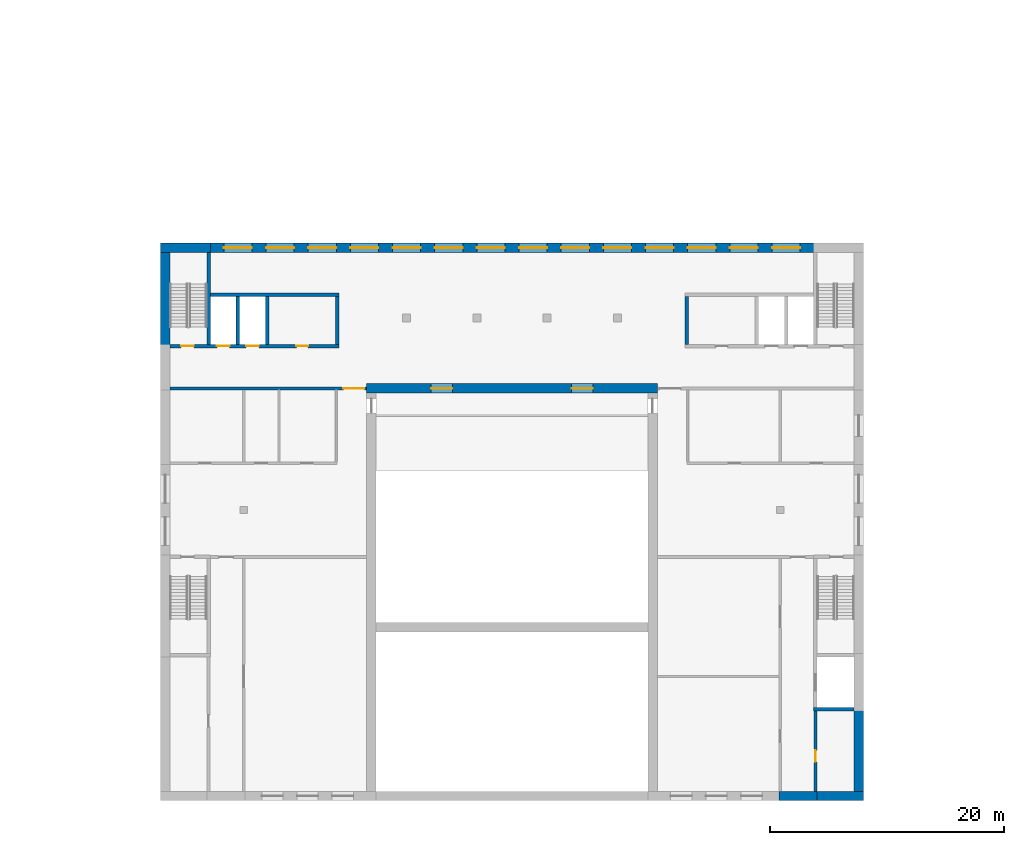
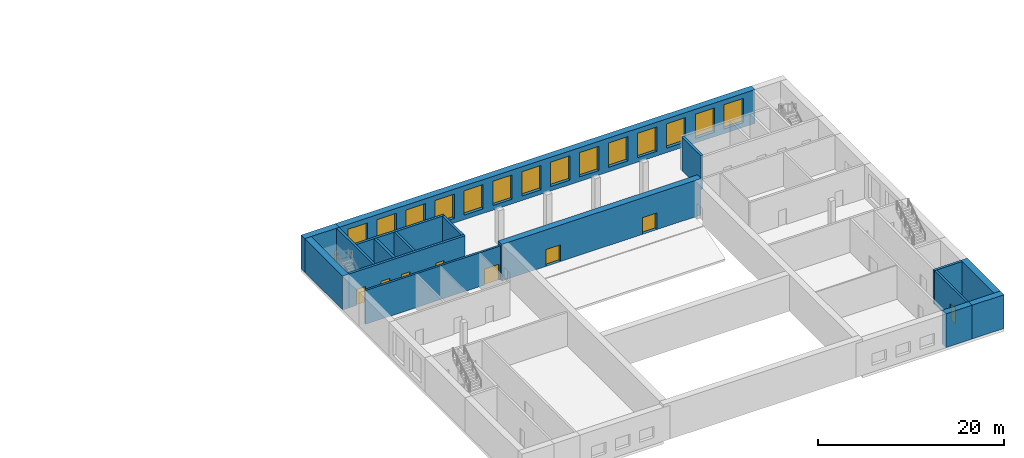
# One storey, part 4 of 24: 17 walls, 14 windows, 8 doors, 22 openings.
"""IFC4 building model written with IfcOpenShell, lengths in metres."""

from ifc_helpers import new_model, si_unit, direction, frame, frame_2d, origin, place, context, subcontext, project, spatial, rectangle, extrude, material, layer, layer_set, type_object, element, fill, save


model = new_model("IFC4")

# Units and contexts
model_context = context("Model", 3, precision=1e-05, world=origin(), true_north=direction((0.0, 1.0)))
body_context = subcontext(model_context, "Body", "Model", "MODEL_VIEW")
ifc_project = project(units=[si_unit("LENGTHUNIT", "METRE"), si_unit("AREAUNIT", "SQUARE_METRE"), si_unit("VOLUMEUNIT", "CUBIC_METRE"), si_unit("PLANEANGLEUNIT", "RADIAN"), si_unit("MASSUNIT", "GRAM", prefix="KILO")], contexts=[model_context])

# Site, building, storey
site_placement = place(None, origin())
site = spatial("IfcSite", under=ifc_project, at=site_placement, CompositionType="ELEMENT")
building_placement = place(site_placement, origin())
building = spatial("IfcBuilding", under=site, at=building_placement, Name="Kiln Ring Residences", CompositionType="ELEMENT")
storey_placement = place(building_placement, frame((0.0, 0.0, 11.300048828125)))
storey = spatial("IfcBuildingStorey", under=building, at=storey_placement, Name="L02", CompositionType="ELEMENT", Elevation=11.300048828125)

# Wall, openings, doors
ifc_material_1 = material(Name="Concrete C40/50", Category="concrete")
ifc_layer_1 = layer(ifc_material_1, 0.800048828125)
ifc_layer_set_1 = layer_set([ifc_layer_1], Name="Hall Board-marked concrete C40/50 hall wall 800 internal")
wall_type_1 = type_object("IfcWallType", Name="Hall Board-marked concrete C40/50 hall wall 800 internal", PredefinedType="SOLIDWALL", material=ifc_layer_set_1)
wall_1_placement = place(storey_placement, frame((-12.39990234375, -124.800048828125, 0.0), z_axis=(0.0, 0.0, 1.0), x_axis=(1.0, 0.0, 0.0)))
wall_1 = element("IfcWall", 1, at=wall_1_placement, inside=storey, type_object=wall_type_1, Name="Hall wall L02 20", PredefinedType="SOLIDWALL", context=body_context, shape_type="SweptSolid", body=[
    extrude(rectangle(XDim=24.7998046875, YDim=0.800048828125, at=frame_2d((12.39990234375, 0.0))), origin(), (0.0, 0.0, 1.0), 4.800048828125),
])
opening_1_placement = place(wall_1_placement, frame((5.5, 0.0, 0.0)))
opening_1 = element("IfcOpeningElement", 2, at=opening_1_placement, cuts=wall_1, Name="Opening L02-12", PredefinedType="OPENING", context=body_context, shape_type="SweptSolid", body=[
    extrude(rectangle(XDim=1.800048828125, YDim=2.199951171875, at=frame_2d((0.89990234375, 1.10009765625))), frame((0.0, 0.409912109375, 0.0), z_axis=(0.0, -1.0, 0.0), x_axis=(1.0, 0.0, 0.0)), (0.0, 0.0, 1.0), 0.820068359375),
])
opening_2_placement = place(wall_1_placement, frame((17.5, 0.0, 0.0)))
opening_2 = element("IfcOpeningElement", 3, at=opening_2_placement, cuts=wall_1, Name="Opening L02-13", PredefinedType="OPENING", context=body_context, shape_type="SweptSolid", body=[
    extrude(rectangle(XDim=1.800048828125, YDim=2.199951171875, at=frame_2d((0.89990234375, 1.10009765625))), frame((0.0, 0.409912109375, 0.0), z_axis=(0.0, -1.0, 0.0), x_axis=(1.0, 0.0, 0.0)), (0.0, 0.0, 1.0), 0.820068359375),
])
ifc_material_2 = material(Name="Steel door leaf", Category="steel")
door_type_1 = type_object("IfcDoorType", Name="Hall Auditorium double door 1800 x 2200", OperationType="DOUBLE_DOOR_SINGLE_SWING", PredefinedType="DOOR", material=ifc_material_2)
door_1_placement = place(opening_1_placement, origin())
door_1 = element("IfcDoor", 4, at=door_1_placement, inside=storey, type_object=door_type_1, Name="Hall door L02-12", OperationType="DOUBLE_DOOR_SINGLE_SWING", OverallHeight=2.199951171875, OverallWidth=1.800048828125, PredefinedType="DOOR", context=body_context, shape_type="SweptSolid", body=[
    extrude(rectangle(XDim=1.800048828125, YDim=2.199951171875, at=frame_2d((0.89990234375, 1.10009765625))), frame((0.0, 0.02490234375, 0.0), z_axis=(0.0, -1.0, 0.0), x_axis=(1.0, 0.0, 0.0)), (0.0, 0.0, 1.0), 0.050048828125),
])
fill(opening_1, door_1)
door_2_placement = place(opening_2_placement, origin())
door_2 = element("IfcDoor", 5, at=door_2_placement, inside=storey, type_object=door_type_1, Name="Hall door L02-13", OperationType="DOUBLE_DOOR_SINGLE_SWING", OverallHeight=2.199951171875, OverallWidth=1.800048828125, PredefinedType="DOOR", context=body_context, shape_type="SweptSolid", body=[
    extrude(rectangle(XDim=1.800048828125, YDim=2.199951171875, at=frame_2d((0.89990234375, 1.10009765625))), frame((0.0, 0.02490234375, 0.0), z_axis=(0.0, -1.0, 0.0), x_axis=(1.0, 0.0, 0.0)), (0.0, 0.0, 1.0), 0.050048828125),
])
fill(opening_2, door_2)

# Walls
ifc_material_3 = material(Name="Concrete C40/50", Category="concrete")
ifc_layer_2 = layer(ifc_material_3, 0.800048828125)
ifc_layer_set_2 = layer_set([ifc_layer_2], Name="Hall Exposed brick-faced reinforced concrete C40/50 wall 800")
wall_type_2 = type_object("IfcWallType", Name="Hall Exposed brick-faced reinforced concrete C40/50 wall 800", PredefinedType="SOLIDWALL", material=ifc_layer_set_2)
wall_2_placement = place(storey_placement, frame((22.775146484375, -159.60009765625, 0.0), z_axis=(0.0, 0.0, 1.0), x_axis=(1.0, 0.0, 0.0)))
element("IfcWall", 6, at=wall_2_placement, inside=storey, type_object=wall_type_2, Name="Hall wall L02 6", PredefinedType="SOLIDWALL", context=body_context, shape_type="SweptSolid", body=[
    extrude(rectangle(XDim=3.249755859375, YDim=0.800048828125, at=frame_2d((1.625, 0.0))), origin(), (0.0, 0.0, 1.0), 4.449951171875),
])
wall_3_placement = place(storey_placement, frame((25.775146484375, -159.60009765625, 0.0), z_axis=(0.0, 0.0, 1.0), x_axis=(1.0, 0.0, 0.0)))
element("IfcWall", 7, at=wall_3_placement, inside=storey, type_object=wall_type_2, Name="Hall wall L02 7", PredefinedType="SOLIDWALL", context=body_context, shape_type="SweptSolid", body=[
    extrude(rectangle(XDim=4.224853515625, YDim=0.800048828125, at=frame_2d((2.1123046875, 0.0))), origin(), (0.0, 0.0, 1.0), 4.449951171875),
])
wall_4_placement = place(storey_placement, frame((-30.0, -112.800048828125, 0.0), z_axis=(0.0, 0.0, 1.0), x_axis=(1.0, 0.0, 0.0)))
element("IfcWall", 8, at=wall_4_placement, inside=storey, type_object=wall_type_2, Name="Hall wall L02 26", PredefinedType="SOLIDWALL", context=body_context, shape_type="SweptSolid", body=[
    extrude(rectangle(XDim=4.25, YDim=0.800048828125, at=frame_2d((2.125, 0.0))), origin(), (0.0, 0.0, 1.0), 4.449951171875),
])

# Wall, openings, windows
wall_5_placement = place(storey_placement, frame((-26.0498046875, -112.800048828125, 0.0), z_axis=(0.0, 0.0, 1.0), x_axis=(1.0, 0.0, 0.0)))
wall_5 = element("IfcWall", 9, at=wall_5_placement, inside=storey, type_object=wall_type_2, Name="Hall wall L02 27", PredefinedType="SOLIDWALL", context=body_context, shape_type="SweptSolid", body=[
    extrude(rectangle(XDim=52.099609375, YDim=0.800048828125, at=frame_2d((26.0498046875, 0.0))), origin(), (0.0, 0.0, 1.0), 4.449951171875),
])
opening_3_placement = place(wall_5_placement, frame((1.449951171875, 0.0, 0.60009765625)))
opening_3 = element("IfcOpeningElement", 10, at=opening_3_placement, cuts=wall_5, Name="Opening WL02-01", PredefinedType="OPENING", context=body_context, shape_type="SweptSolid", body=[
    extrude(rectangle(XDim=2.39990234375, YDim=3.199951171875, at=frame_2d((1.199951171875, 1.60009765625))), frame((0.0, 0.409912109375, 0.0), z_axis=(0.0, -1.0, 0.0), x_axis=(1.0, 0.0, 0.0)), (0.0, 0.0, 1.0), 0.820068359375),
])
opening_4_placement = place(wall_5_placement, frame((5.0498046875, 0.0, 0.60009765625)))
opening_4 = element("IfcOpeningElement", 11, at=opening_4_placement, cuts=wall_5, Name="Opening WL02-02", PredefinedType="OPENING", context=body_context, shape_type="SweptSolid", body=[
    extrude(rectangle(XDim=2.39990234375, YDim=3.199951171875, at=frame_2d((1.199951171875, 1.60009765625))), frame((0.0, 0.409912109375, 0.0), z_axis=(0.0, -1.0, 0.0), x_axis=(1.0, 0.0, 0.0)), (0.0, 0.0, 1.0), 0.820068359375),
])
opening_5_placement = place(wall_5_placement, frame((8.64990234375, 0.0, 0.60009765625)))
opening_5 = element("IfcOpeningElement", 12, at=opening_5_placement, cuts=wall_5, Name="Opening WL02-03", PredefinedType="OPENING", context=body_context, shape_type="SweptSolid", body=[
    extrude(rectangle(XDim=2.39990234375, YDim=3.199951171875, at=frame_2d((1.199951171875, 1.60009765625))), frame((0.0, 0.409912109375, 0.0), z_axis=(0.0, -1.0, 0.0), x_axis=(1.0, 0.0, 0.0)), (0.0, 0.0, 1.0), 0.820068359375),
])
opening_6_placement = place(wall_5_placement, frame((12.25, 0.0, 0.60009765625)))
opening_6 = element("IfcOpeningElement", 13, at=opening_6_placement, cuts=wall_5, Name="Opening WL02-04", PredefinedType="OPENING", context=body_context, shape_type="SweptSolid", body=[
    extrude(rectangle(XDim=2.39990234375, YDim=3.199951171875, at=frame_2d((1.199951171875, 1.60009765625))), frame((0.0, 0.409912109375, 0.0), z_axis=(0.0, -1.0, 0.0), x_axis=(1.0, 0.0, 0.0)), (0.0, 0.0, 1.0), 0.820068359375),
])
opening_7_placement = place(wall_5_placement, frame((15.849853515625, 0.0, 0.60009765625)))
opening_7 = element("IfcOpeningElement", 14, at=opening_7_placement, cuts=wall_5, Name="Opening WL02-05", PredefinedType="OPENING", context=body_context, shape_type="SweptSolid", body=[
    extrude(rectangle(XDim=2.39990234375, YDim=3.199951171875, at=frame_2d((1.199951171875, 1.60009765625))), frame((0.0, 0.409912109375, 0.0), z_axis=(0.0, -1.0, 0.0), x_axis=(1.0, 0.0, 0.0)), (0.0, 0.0, 1.0), 0.820068359375),
])
opening_8_placement = place(wall_5_placement, frame((19.449951171875, 0.0, 0.60009765625)))
opening_8 = element("IfcOpeningElement", 15, at=opening_8_placement, cuts=wall_5, Name="Opening WL02-06", PredefinedType="OPENING", context=body_context, shape_type="SweptSolid", body=[
    extrude(rectangle(XDim=2.39990234375, YDim=3.199951171875, at=frame_2d((1.199951171875, 1.60009765625))), frame((0.0, 0.409912109375, 0.0), z_axis=(0.0, -1.0, 0.0), x_axis=(1.0, 0.0, 0.0)), (0.0, 0.0, 1.0), 0.820068359375),
])
opening_9_placement = place(wall_5_placement, frame((23.0498046875, 0.0, 0.60009765625)))
opening_9 = element("IfcOpeningElement", 16, at=opening_9_placement, cuts=wall_5, Name="Opening WL02-07", PredefinedType="OPENING", context=body_context, shape_type="SweptSolid", body=[
    extrude(rectangle(XDim=2.39990234375, YDim=3.199951171875, at=frame_2d((1.199951171875, 1.60009765625))), frame((0.0, 0.409912109375, 0.0), z_axis=(0.0, -1.0, 0.0), x_axis=(1.0, 0.0, 0.0)), (0.0, 0.0, 1.0), 0.820068359375),
])
opening_10_placement = place(wall_5_placement, frame((26.64990234375, 0.0, 0.60009765625)))
opening_10 = element("IfcOpeningElement", 17, at=opening_10_placement, cuts=wall_5, Name="Opening WL02-08", PredefinedType="OPENING", context=body_context, shape_type="SweptSolid", body=[
    extrude(rectangle(XDim=2.39990234375, YDim=3.199951171875, at=frame_2d((1.199951171875, 1.60009765625))), frame((0.0, 0.409912109375, 0.0), z_axis=(0.0, -1.0, 0.0), x_axis=(1.0, 0.0, 0.0)), (0.0, 0.0, 1.0), 0.820068359375),
])
opening_11_placement = place(wall_5_placement, frame((30.25, 0.0, 0.60009765625)))
opening_11 = element("IfcOpeningElement", 18, at=opening_11_placement, cuts=wall_5, Name="Opening WL02-09", PredefinedType="OPENING", context=body_context, shape_type="SweptSolid", body=[
    extrude(rectangle(XDim=2.39990234375, YDim=3.199951171875, at=frame_2d((1.199951171875, 1.60009765625))), frame((0.0, 0.409912109375, 0.0), z_axis=(0.0, -1.0, 0.0), x_axis=(1.0, 0.0, 0.0)), (0.0, 0.0, 1.0), 0.820068359375),
])
opening_12_placement = place(wall_5_placement, frame((33.849853515625, 0.0, 0.60009765625)))
opening_12 = element("IfcOpeningElement", 19, at=opening_12_placement, cuts=wall_5, Name="Opening WL02-10", PredefinedType="OPENING", context=body_context, shape_type="SweptSolid", body=[
    extrude(rectangle(XDim=2.39990234375, YDim=3.199951171875, at=frame_2d((1.199951171875, 1.60009765625))), frame((0.0, 0.409912109375, 0.0), z_axis=(0.0, -1.0, 0.0), x_axis=(1.0, 0.0, 0.0)), (0.0, 0.0, 1.0), 0.820068359375),
])
opening_13_placement = place(wall_5_placement, frame((37.449951171875, 0.0, 0.60009765625)))
opening_13 = element("IfcOpeningElement", 20, at=opening_13_placement, cuts=wall_5, Name="Opening WL02-11", PredefinedType="OPENING", context=body_context, shape_type="SweptSolid", body=[
    extrude(rectangle(XDim=2.39990234375, YDim=3.199951171875, at=frame_2d((1.199951171875, 1.60009765625))), frame((0.0, 0.409912109375, 0.0), z_axis=(0.0, -1.0, 0.0), x_axis=(1.0, 0.0, 0.0)), (0.0, 0.0, 1.0), 0.820068359375),
])
opening_14_placement = place(wall_5_placement, frame((41.0498046875, 0.0, 0.60009765625)))
opening_14 = element("IfcOpeningElement", 21, at=opening_14_placement, cuts=wall_5, Name="Opening WL02-12", PredefinedType="OPENING", context=body_context, shape_type="SweptSolid", body=[
    extrude(rectangle(XDim=2.39990234375, YDim=3.199951171875, at=frame_2d((1.199951171875, 1.60009765625))), frame((0.0, 0.409912109375, 0.0), z_axis=(0.0, -1.0, 0.0), x_axis=(1.0, 0.0, 0.0)), (0.0, 0.0, 1.0), 0.820068359375),
])
opening_15_placement = place(wall_5_placement, frame((44.64990234375, 0.0, 0.60009765625)))
opening_15 = element("IfcOpeningElement", 22, at=opening_15_placement, cuts=wall_5, Name="Opening WL02-13", PredefinedType="OPENING", context=body_context, shape_type="SweptSolid", body=[
    extrude(rectangle(XDim=2.39990234375, YDim=3.199951171875, at=frame_2d((1.199951171875, 1.60009765625))), frame((0.0, 0.409912109375, 0.0), z_axis=(0.0, -1.0, 0.0), x_axis=(1.0, 0.0, 0.0)), (0.0, 0.0, 1.0), 0.820068359375),
])
opening_16_placement = place(wall_5_placement, frame((48.25, 0.0, 0.60009765625)))
opening_16 = element("IfcOpeningElement", 23, at=opening_16_placement, cuts=wall_5, Name="Opening WL02-14", PredefinedType="OPENING", context=body_context, shape_type="SweptSolid", body=[
    extrude(rectangle(XDim=2.39990234375, YDim=3.199951171875, at=frame_2d((1.199951171875, 1.60009765625))), frame((0.0, 0.409912109375, 0.0), z_axis=(0.0, -1.0, 0.0), x_axis=(1.0, 0.0, 0.0)), (0.0, 0.0, 1.0), 0.820068359375),
])
ifc_material_4 = material(Name="Glazing in aluminium frame", Category="aluminium")
window_type = type_object("IfcWindowType", Name="Hall foyer window 2400 x 3200", PartitioningType="SINGLE_PANEL", PredefinedType="WINDOW", material=ifc_material_4)
window_1_placement = place(opening_3_placement, origin())
window_1 = element("IfcWindow", 24, at=window_1_placement, inside=storey, type_object=window_type, Name="Hall window L02-01", OverallHeight=3.199951171875, OverallWidth=2.39990234375, PartitioningType="SINGLE_PANEL", PredefinedType="WINDOW", context=body_context, shape_type="SweptSolid", body=[
    extrude(rectangle(XDim=2.39990234375, YDim=3.199951171875, at=frame_2d((1.199951171875, 1.60009765625))), frame((0.0, 0.030029296875, 0.0), z_axis=(0.0, -1.0, 0.0), x_axis=(1.0, 0.0, 0.0)), (0.0, 0.0, 1.0), 0.06005859375),
])
fill(opening_3, window_1)
window_2_placement = place(opening_4_placement, origin())
window_2 = element("IfcWindow", 25, at=window_2_placement, inside=storey, type_object=window_type, Name="Hall window L02-02", OverallHeight=3.199951171875, OverallWidth=2.39990234375, PartitioningType="SINGLE_PANEL", PredefinedType="WINDOW", context=body_context, shape_type="SweptSolid", body=[
    extrude(rectangle(XDim=2.39990234375, YDim=3.199951171875, at=frame_2d((1.199951171875, 1.60009765625))), frame((0.0, 0.030029296875, 0.0), z_axis=(0.0, -1.0, 0.0), x_axis=(1.0, 0.0, 0.0)), (0.0, 0.0, 1.0), 0.06005859375),
])
fill(opening_4, window_2)
window_3_placement = place(opening_5_placement, origin())
window_3 = element("IfcWindow", 26, at=window_3_placement, inside=storey, type_object=window_type, Name="Hall window L02-03", OverallHeight=3.199951171875, OverallWidth=2.39990234375, PartitioningType="SINGLE_PANEL", PredefinedType="WINDOW", context=body_context, shape_type="SweptSolid", body=[
    extrude(rectangle(XDim=2.39990234375, YDim=3.199951171875, at=frame_2d((1.199951171875, 1.60009765625))), frame((0.0, 0.030029296875, 0.0), z_axis=(0.0, -1.0, 0.0), x_axis=(1.0, 0.0, 0.0)), (0.0, 0.0, 1.0), 0.06005859375),
])
fill(opening_5, window_3)
window_4_placement = place(opening_6_placement, origin())
window_4 = element("IfcWindow", 27, at=window_4_placement, inside=storey, type_object=window_type, Name="Hall window L02-04", OverallHeight=3.199951171875, OverallWidth=2.39990234375, PartitioningType="SINGLE_PANEL", PredefinedType="WINDOW", context=body_context, shape_type="SweptSolid", body=[
    extrude(rectangle(XDim=2.39990234375, YDim=3.199951171875, at=frame_2d((1.199951171875, 1.60009765625))), frame((0.0, 0.030029296875, 0.0), z_axis=(0.0, -1.0, 0.0), x_axis=(1.0, 0.0, 0.0)), (0.0, 0.0, 1.0), 0.06005859375),
])
fill(opening_6, window_4)
window_5_placement = place(opening_7_placement, origin())
window_5 = element("IfcWindow", 28, at=window_5_placement, inside=storey, type_object=window_type, Name="Hall window L02-05", OverallHeight=3.199951171875, OverallWidth=2.39990234375, PartitioningType="SINGLE_PANEL", PredefinedType="WINDOW", context=body_context, shape_type="SweptSolid", body=[
    extrude(rectangle(XDim=2.39990234375, YDim=3.199951171875, at=frame_2d((1.199951171875, 1.60009765625))), frame((0.0, 0.030029296875, 0.0), z_axis=(0.0, -1.0, 0.0), x_axis=(1.0, 0.0, 0.0)), (0.0, 0.0, 1.0), 0.06005859375),
])
fill(opening_7, window_5)
window_6_placement = place(opening_8_placement, origin())
window_6 = element("IfcWindow", 29, at=window_6_placement, inside=storey, type_object=window_type, Name="Hall window L02-06", OverallHeight=3.199951171875, OverallWidth=2.39990234375, PartitioningType="SINGLE_PANEL", PredefinedType="WINDOW", context=body_context, shape_type="SweptSolid", body=[
    extrude(rectangle(XDim=2.39990234375, YDim=3.199951171875, at=frame_2d((1.199951171875, 1.60009765625))), frame((0.0, 0.030029296875, 0.0), z_axis=(0.0, -1.0, 0.0), x_axis=(1.0, 0.0, 0.0)), (0.0, 0.0, 1.0), 0.06005859375),
])
fill(opening_8, window_6)
window_7_placement = place(opening_9_placement, origin())
window_7 = element("IfcWindow", 30, at=window_7_placement, inside=storey, type_object=window_type, Name="Hall window L02-07", OverallHeight=3.199951171875, OverallWidth=2.39990234375, PartitioningType="SINGLE_PANEL", PredefinedType="WINDOW", context=body_context, shape_type="SweptSolid", body=[
    extrude(rectangle(XDim=2.39990234375, YDim=3.199951171875, at=frame_2d((1.199951171875, 1.60009765625))), frame((0.0, 0.030029296875, 0.0), z_axis=(0.0, -1.0, 0.0), x_axis=(1.0, 0.0, 0.0)), (0.0, 0.0, 1.0), 0.06005859375),
])
fill(opening_9, window_7)
window_8_placement = place(opening_10_placement, origin())
window_8 = element("IfcWindow", 31, at=window_8_placement, inside=storey, type_object=window_type, Name="Hall window L02-08", OverallHeight=3.199951171875, OverallWidth=2.39990234375, PartitioningType="SINGLE_PANEL", PredefinedType="WINDOW", context=body_context, shape_type="SweptSolid", body=[
    extrude(rectangle(XDim=2.39990234375, YDim=3.199951171875, at=frame_2d((1.199951171875, 1.60009765625))), frame((0.0, 0.030029296875, 0.0), z_axis=(0.0, -1.0, 0.0), x_axis=(1.0, 0.0, 0.0)), (0.0, 0.0, 1.0), 0.06005859375),
])
fill(opening_10, window_8)
window_9_placement = place(opening_11_placement, origin())
window_9 = element("IfcWindow", 32, at=window_9_placement, inside=storey, type_object=window_type, Name="Hall window L02-09", OverallHeight=3.199951171875, OverallWidth=2.39990234375, PartitioningType="SINGLE_PANEL", PredefinedType="WINDOW", context=body_context, shape_type="SweptSolid", body=[
    extrude(rectangle(XDim=2.39990234375, YDim=3.199951171875, at=frame_2d((1.199951171875, 1.60009765625))), frame((0.0, 0.030029296875, 0.0), z_axis=(0.0, -1.0, 0.0), x_axis=(1.0, 0.0, 0.0)), (0.0, 0.0, 1.0), 0.06005859375),
])
fill(opening_11, window_9)
window_10_placement = place(opening_12_placement, origin())
window_10 = element("IfcWindow", 33, at=window_10_placement, inside=storey, type_object=window_type, Name="Hall window L02-10", OverallHeight=3.199951171875, OverallWidth=2.39990234375, PartitioningType="SINGLE_PANEL", PredefinedType="WINDOW", context=body_context, shape_type="SweptSolid", body=[
    extrude(rectangle(XDim=2.39990234375, YDim=3.199951171875, at=frame_2d((1.199951171875, 1.60009765625))), frame((0.0, 0.030029296875, 0.0), z_axis=(0.0, -1.0, 0.0), x_axis=(1.0, 0.0, 0.0)), (0.0, 0.0, 1.0), 0.06005859375),
])
fill(opening_12, window_10)
window_11_placement = place(opening_13_placement, origin())
window_11 = element("IfcWindow", 34, at=window_11_placement, inside=storey, type_object=window_type, Name="Hall window L02-11", OverallHeight=3.199951171875, OverallWidth=2.39990234375, PartitioningType="SINGLE_PANEL", PredefinedType="WINDOW", context=body_context, shape_type="SweptSolid", body=[
    extrude(rectangle(XDim=2.39990234375, YDim=3.199951171875, at=frame_2d((1.199951171875, 1.60009765625))), frame((0.0, 0.030029296875, 0.0), z_axis=(0.0, -1.0, 0.0), x_axis=(1.0, 0.0, 0.0)), (0.0, 0.0, 1.0), 0.06005859375),
])
fill(opening_13, window_11)
window_12_placement = place(opening_14_placement, origin())
window_12 = element("IfcWindow", 35, at=window_12_placement, inside=storey, type_object=window_type, Name="Hall window L02-12", OverallHeight=3.199951171875, OverallWidth=2.39990234375, PartitioningType="SINGLE_PANEL", PredefinedType="WINDOW", context=body_context, shape_type="SweptSolid", body=[
    extrude(rectangle(XDim=2.39990234375, YDim=3.199951171875, at=frame_2d((1.199951171875, 1.60009765625))), frame((0.0, 0.030029296875, 0.0), z_axis=(0.0, -1.0, 0.0), x_axis=(1.0, 0.0, 0.0)), (0.0, 0.0, 1.0), 0.06005859375),
])
fill(opening_14, window_12)
window_13_placement = place(opening_15_placement, origin())
window_13 = element("IfcWindow", 36, at=window_13_placement, inside=storey, type_object=window_type, Name="Hall window L02-13", OverallHeight=3.199951171875, OverallWidth=2.39990234375, PartitioningType="SINGLE_PANEL", PredefinedType="WINDOW", context=body_context, shape_type="SweptSolid", body=[
    extrude(rectangle(XDim=2.39990234375, YDim=3.199951171875, at=frame_2d((1.199951171875, 1.60009765625))), frame((0.0, 0.030029296875, 0.0), z_axis=(0.0, -1.0, 0.0), x_axis=(1.0, 0.0, 0.0)), (0.0, 0.0, 1.0), 0.06005859375),
])
fill(opening_15, window_13)
window_14_placement = place(opening_16_placement, origin())
window_14 = element("IfcWindow", 37, at=window_14_placement, inside=storey, type_object=window_type, Name="Hall window L02-14", OverallHeight=3.199951171875, OverallWidth=2.39990234375, PartitioningType="SINGLE_PANEL", PredefinedType="WINDOW", context=body_context, shape_type="SweptSolid", body=[
    extrude(rectangle(XDim=2.39990234375, YDim=3.199951171875, at=frame_2d((1.199951171875, 1.60009765625))), frame((0.0, 0.030029296875, 0.0), z_axis=(0.0, -1.0, 0.0), x_axis=(1.0, 0.0, 0.0)), (0.0, 0.0, 1.0), 0.06005859375),
])
fill(opening_16, window_14)

# Walls
wall_6_placement = place(storey_placement, frame((-29.60009765625, -121.349853515625, 0.0), z_axis=(0.0, 0.0, 1.0), x_axis=(0.0, 1.0, 0.0)))
element("IfcWall", 38, at=wall_6_placement, inside=storey, type_object=wall_type_2, Name="Hall wall L02 34", PredefinedType="SOLIDWALL", context=body_context, shape_type="SweptSolid", body=[
    extrude(rectangle(XDim=8.14990234375, YDim=0.800048828125, at=frame_2d((4.074951171875, 0.0))), origin(), (0.0, 0.0, 1.0), 4.449951171875),
])
wall_7_placement = place(storey_placement, frame((29.60009765625, -152.050048828125, 0.0), z_axis=(0.0, 0.0, 1.0), x_axis=(0.0, -1.0, 0.0)))
element("IfcWall", 39, at=wall_7_placement, inside=storey, type_object=wall_type_2, Name="Hall wall L02 56", PredefinedType="SOLIDWALL", context=body_context, shape_type="SweptSolid", body=[
    extrude(rectangle(XDim=7.14990234375, YDim=0.800048828125, at=frame_2d((3.574951171875, 0.0))), origin(), (0.0, 0.0, 1.0), 4.449951171875),
])
ifc_material_5 = material(Name="Concrete C40/50", Category="concrete")
ifc_layer_3 = layer(ifc_material_5, 0.300048828125)
ifc_layer_set_3 = layer_set([ifc_layer_3], Name="Hall Reinforced concrete C40/50 core wall 300")
wall_type_3 = type_object("IfcWallType", Name="Hall Reinforced concrete C40/50 core wall 300", PredefinedType="SOLIDWALL", material=ifc_layer_set_3)
wall_8_placement = place(storey_placement, frame((25.75, -152.199951171875, 0.0), z_axis=(0.0, 0.0, 1.0), x_axis=(1.0, 0.0, 0.0)))
element("IfcWall", 40, at=wall_8_placement, inside=storey, type_object=wall_type_3, Name="Hall wall L02 8", PredefinedType="SOLIDWALL", context=body_context, shape_type="SweptSolid", body=[
    extrude(rectangle(XDim=3.449951171875, YDim=0.300048828125, at=frame_2d((1.72509765625, 0.0))), origin(), (0.0, 0.0, 1.0), 4.449951171875),
])

# Wall, openings, doors
wall_9_placement = place(storey_placement, frame((-29.199951171875, -121.199951171875, 0.0), z_axis=(0.0, 0.0, 1.0), x_axis=(1.0, 0.0, 0.0)))
wall_9 = element("IfcWall", 41, at=wall_9_placement, inside=storey, type_object=wall_type_3, Name="Hall wall L02 22", PredefinedType="SOLIDWALL", context=body_context, shape_type="SweptSolid", body=[
    extrude(rectangle(XDim=14.449951171875, YDim=0.300048828125, at=frame_2d((7.22509765625, 0.0))), origin(), (0.0, 0.0, 1.0), 4.449951171875),
])
opening_17_placement = place(wall_9_placement, frame((4.0, 0.0, 0.0)))
opening_17 = element("IfcOpeningElement", 42, at=opening_17_placement, cuts=wall_9, Name="Opening L02-01", PredefinedType="OPENING", context=body_context, shape_type="SweptSolid", body=[
    extrude(rectangle(XDim=1.10009765625, YDim=2.10009765625, at=frame_2d((0.550048828125, 1.050048828125))), frame((0.0, 0.159912109375, 0.0), z_axis=(0.0, -1.0, 0.0), x_axis=(1.0, 0.0, 0.0)), (0.0, 0.0, 1.0), 0.320068359375),
])
opening_18_placement = place(wall_9_placement, frame((6.5, 0.0, 0.0)))
opening_18 = element("IfcOpeningElement", 43, at=opening_18_placement, cuts=wall_9, Name="Opening L02-02", PredefinedType="OPENING", context=body_context, shape_type="SweptSolid", body=[
    extrude(rectangle(XDim=1.10009765625, YDim=2.10009765625, at=frame_2d((0.550048828125, 1.050048828125))), frame((0.0, 0.159912109375, 0.0), z_axis=(0.0, -1.0, 0.0), x_axis=(1.0, 0.0, 0.0)), (0.0, 0.0, 1.0), 0.320068359375),
])
opening_19_placement = place(wall_9_placement, frame((0.949951171875, 0.0, 0.0)))
opening_19 = element("IfcOpeningElement", 44, at=opening_19_placement, cuts=wall_9, Name="Opening L02-06", PredefinedType="OPENING", context=body_context, shape_type="SweptSolid", body=[
    extrude(rectangle(XDim=1.10009765625, YDim=2.10009765625, at=frame_2d((0.550048828125, 1.050048828125))), frame((0.0, 0.159912109375, 0.0), z_axis=(0.0, -1.0, 0.0), x_axis=(1.0, 0.0, 0.0)), (0.0, 0.0, 1.0), 0.320068359375),
])
opening_20_placement = place(wall_9_placement, frame((10.800048828125, 0.0, 0.0)))
opening_20 = element("IfcOpeningElement", 45, at=opening_20_placement, cuts=wall_9, Name="Opening L02-10", PredefinedType="OPENING", context=body_context, shape_type="SweptSolid", body=[
    extrude(rectangle(XDim=1.0, YDim=2.10009765625, at=frame_2d((0.5, 1.050048828125))), frame((0.0, 0.159912109375, 0.0), z_axis=(0.0, -1.0, 0.0), x_axis=(1.0, 0.0, 0.0)), (0.0, 0.0, 1.0), 0.320068359375),
])
ifc_material_6 = material(Name="Steel door leaf", Category="steel")
door_type_2 = type_object("IfcDoorType", Name="Hall Lift landing door 1100 x 2100", OperationType="DOUBLE_DOOR_SLIDING", PredefinedType="DOOR", material=ifc_material_6)
door_3_placement = place(opening_17_placement, origin())
door_3 = element("IfcDoor", 46, at=door_3_placement, inside=storey, type_object=door_type_2, Name="Hall door L02-01", OperationType="DOUBLE_DOOR_SLIDING", OverallHeight=2.10009765625, OverallWidth=1.10009765625, PredefinedType="DOOR", context=body_context, shape_type="SweptSolid", body=[
    extrude(rectangle(XDim=1.10009765625, YDim=2.10009765625, at=frame_2d((0.550048828125, 1.050048828125))), frame((0.0, 0.02490234375, 0.0), z_axis=(0.0, -1.0, 0.0), x_axis=(1.0, 0.0, 0.0)), (0.0, 0.0, 1.0), 0.050048828125),
])
fill(opening_17, door_3)
door_4_placement = place(opening_18_placement, origin())
door_4 = element("IfcDoor", 47, at=door_4_placement, inside=storey, type_object=door_type_2, Name="Hall door L02-02", OperationType="DOUBLE_DOOR_SLIDING", OverallHeight=2.10009765625, OverallWidth=1.10009765625, PredefinedType="DOOR", context=body_context, shape_type="SweptSolid", body=[
    extrude(rectangle(XDim=1.10009765625, YDim=2.10009765625, at=frame_2d((0.550048828125, 1.050048828125))), frame((0.0, 0.02490234375, 0.0), z_axis=(0.0, -1.0, 0.0), x_axis=(1.0, 0.0, 0.0)), (0.0, 0.0, 1.0), 0.050048828125),
])
fill(opening_18, door_4)
ifc_material_7 = material(Name="Steel door leaf", Category="steel")
door_type_3 = type_object("IfcDoorType", Name="Hall Single door 1000 x 2100", OperationType="SINGLE_SWING_LEFT", PredefinedType="DOOR", material=ifc_material_7)
door_5_placement = place(opening_20_placement, origin())
door_5 = element("IfcDoor", 48, at=door_5_placement, inside=storey, type_object=door_type_3, Name="Hall door L02-10", OperationType="SINGLE_SWING_RIGHT", OverallHeight=2.10009765625, OverallWidth=1.0, PredefinedType="DOOR", context=body_context, shape_type="SweptSolid", body=[
    extrude(rectangle(XDim=1.0, YDim=2.10009765625, at=frame_2d((0.5, 1.050048828125))), frame((0.0, 0.02490234375, 0.0), z_axis=(0.0, -1.0, 0.0), x_axis=(1.0, 0.0, 0.0)), (0.0, 0.0, 1.0), 0.050048828125),
])
fill(opening_20, door_5)
ifc_material_8 = material(Name="Steel door leaf", Category="steel")
door_type_4 = type_object("IfcDoorType", Name="Hall Stair door 1100 x 2100", OperationType="SINGLE_SWING_LEFT", PredefinedType="DOOR", material=ifc_material_8)
door_6_placement = place(opening_19_placement, origin())
door_6 = element("IfcDoor", 49, at=door_6_placement, inside=storey, type_object=door_type_4, Name="Hall door L02-06", OperationType="SINGLE_SWING_RIGHT", OverallHeight=2.10009765625, OverallWidth=1.10009765625, PredefinedType="DOOR", context=body_context, shape_type="SweptSolid", body=[
    extrude(rectangle(XDim=1.10009765625, YDim=2.10009765625, at=frame_2d((0.550048828125, 1.050048828125))), frame((0.0, 0.02490234375, 0.0), z_axis=(0.0, -1.0, 0.0), x_axis=(1.0, 0.0, 0.0)), (0.0, 0.0, 1.0), 0.050048828125),
])
fill(opening_19, door_6)

# Walls
wall_10_placement = place(storey_placement, frame((-25.75, -116.800048828125, 0.0), z_axis=(0.0, 0.0, 1.0), x_axis=(1.0, 0.0, 0.0)))
element("IfcWall", 50, at=wall_10_placement, inside=storey, type_object=wall_type_3, Name="Hall wall L02 24", PredefinedType="SOLIDWALL", context=body_context, shape_type="SweptSolid", body=[
    extrude(rectangle(XDim=11.0, YDim=0.300048828125, at=frame_2d((5.5, 0.0))), origin(), (0.0, 0.0, 1.0), 4.449951171875),
])
wall_11_placement = place(storey_placement, frame((-25.89990234375, -121.050048828125, 0.0), z_axis=(0.0, 0.0, 1.0), x_axis=(0.0, 1.0, 0.0)))
element("IfcWall", 51, at=wall_11_placement, inside=storey, type_object=wall_type_3, Name="Hall wall L02 37", PredefinedType="SOLIDWALL", context=body_context, shape_type="SweptSolid", body=[
    extrude(rectangle(XDim=7.85009765625, YDim=0.300048828125, at=frame_2d((3.925048828125, 0.0))), origin(), (0.0, 0.0, 1.0), 4.449951171875),
])
for number, where, z_axis, x_axis, name in (
    (52, (-23.39990234375, -121.050048828125, 0.0), (0.0, 0.0, 1.0), (0.0, 1.0, 0.0), "Hall wall L02 38"),
    (53, (-20.89990234375, -121.050048828125, 0.0), (0.0, 0.0, 1.0), (0.0, 1.0, 0.0), "Hall wall L02 41"),
    (54, (-14.89990234375, -121.050048828125, 0.0), (0.0, 0.0, 1.0), (0.0, 1.0, 0.0), "Hall wall L02 44"),
    (55, (14.89990234375, -121.050048828125, 0.0), (0.0, 0.0, 1.0), (0.0, 1.0, 0.0), "Hall wall L02 47"),
):
    element("IfcWall", number, at=place(storey_placement, frame(where, z_axis=z_axis, x_axis=x_axis)), inside=storey, type_object=wall_type_3, Name=name, PredefinedType="SOLIDWALL", context=body_context, shape_type="SweptSolid", body=[
        extrude(rectangle(XDim=4.10009765625, YDim=0.300048828125, at=frame_2d((2.050048828125, 0.0))), origin(), (0.0, 0.0, 1.0), 4.449951171875),
    ])

# Wall, opening, door
ifc_material_9 = material(Name="Concrete C40/50", Category="concrete")
ifc_layer_4 = layer(ifc_material_9, 0.25)
ifc_layer_set_4 = layer_set([ifc_layer_4], Name="Hall Reinforced concrete C40/50 wall 250")
wall_type_4 = type_object("IfcWallType", Name="Hall Reinforced concrete C40/50 wall 250", PredefinedType="SOLIDWALL", material=ifc_layer_set_4)
wall_12_placement = place(storey_placement, frame((-29.199951171875, -124.800048828125, 0.0), z_axis=(0.0, 0.0, 1.0), x_axis=(1.0, 0.0, 0.0)))
wall_12 = element("IfcWall", 56, at=wall_12_placement, inside=storey, type_object=wall_type_4, Name="Hall wall L02 19", PredefinedType="SOLIDWALL", context=body_context, shape_type="SweptSolid", body=[
    extrude(rectangle(XDim=16.800048828125, YDim=0.25, at=frame_2d((8.39990234375, 0.0))), origin(), (0.0, 0.0, 1.0), 4.449951171875),
])
opening_21_placement = place(wall_12_placement, frame((14.800048828125, 0.0, 0.0)))
opening_21 = element("IfcOpeningElement", 57, at=opening_21_placement, cuts=wall_12, Name="Opening L02-16", PredefinedType="OPENING", context=body_context, shape_type="SweptSolid", body=[
    extrude(rectangle(XDim=1.800048828125, YDim=2.10009765625, at=frame_2d((0.89990234375, 1.050048828125))), frame((0.0, 0.135009765625, 0.0), z_axis=(0.0, -1.0, 0.0), x_axis=(1.0, 0.0, 0.0)), (0.0, 0.0, 1.0), 0.27001953125),
])
ifc_material_10 = material(Name="Steel door leaf", Category="steel")
door_type_5 = type_object("IfcDoorType", Name="Hall Double door 1800 x 2100", OperationType="DOUBLE_DOOR_SINGLE_SWING", PredefinedType="DOOR", material=ifc_material_10)
door_7_placement = place(opening_21_placement, origin())
door_7 = element("IfcDoor", 58, at=door_7_placement, inside=storey, type_object=door_type_5, Name="Hall door L02-16", OperationType="DOUBLE_DOOR_SINGLE_SWING", OverallHeight=2.10009765625, OverallWidth=1.800048828125, PredefinedType="DOOR", context=body_context, shape_type="SweptSolid", body=[
    extrude(rectangle(XDim=1.800048828125, YDim=2.10009765625, at=frame_2d((0.89990234375, 1.050048828125))), frame((0.0, 0.02490234375, 0.0), z_axis=(0.0, -1.0, 0.0), x_axis=(1.0, 0.0, 0.0)), (0.0, 0.0, 1.0), 0.050048828125),
])
fill(opening_21, door_7)

wall_13_placement = place(storey_placement, frame((25.89990234375, -159.199951171875, 0.0), z_axis=(0.0, 0.0, 1.0), x_axis=(0.0, 1.0, 0.0)))
wall_13 = element("IfcWall", 59, at=wall_13_placement, inside=storey, type_object=wall_type_4, Name="Hall wall L02 53", PredefinedType="SOLIDWALL", context=body_context, shape_type="SweptSolid", body=[
    extrude(rectangle(XDim=6.849853515625, YDim=0.25, at=frame_2d((3.4248046875, 0.0))), origin(), (0.0, 0.0, 1.0), 4.449951171875),
])
opening_22_placement = place(wall_13_placement, frame((2.5, 0.0, 0.0)))
opening_22 = element("IfcOpeningElement", 60, at=opening_22_placement, cuts=wall_13, Name="Opening L02-27", PredefinedType="OPENING", context=body_context, shape_type="SweptSolid", body=[
    extrude(rectangle(XDim=1.0, YDim=2.10009765625, at=frame_2d((0.5, 1.050048828125))), frame((0.0, 0.135009765625, 0.0), z_axis=(0.0, -1.0, 0.0), x_axis=(1.0, 0.0, 0.0)), (0.0, 0.0, 1.0), 0.27001953125),
])
door_8_placement = place(opening_22_placement, origin())
door_8 = element("IfcDoor", 61, at=door_8_placement, inside=storey, type_object=door_type_3, Name="Hall door L02-27", OperationType="SINGLE_SWING_LEFT", OverallHeight=2.10009765625, OverallWidth=1.0, PredefinedType="DOOR", context=body_context, shape_type="SweptSolid", body=[
    extrude(rectangle(XDim=1.0, YDim=2.10009765625, at=frame_2d((0.5, 1.050048828125))), frame((0.0, 0.02490234375, 0.0), z_axis=(0.0, -1.0, 0.0), x_axis=(1.0, 0.0, 0.0)), (0.0, 0.0, 1.0), 0.050048828125),
])
fill(opening_22, door_8)

save(model, "model.ifc")
